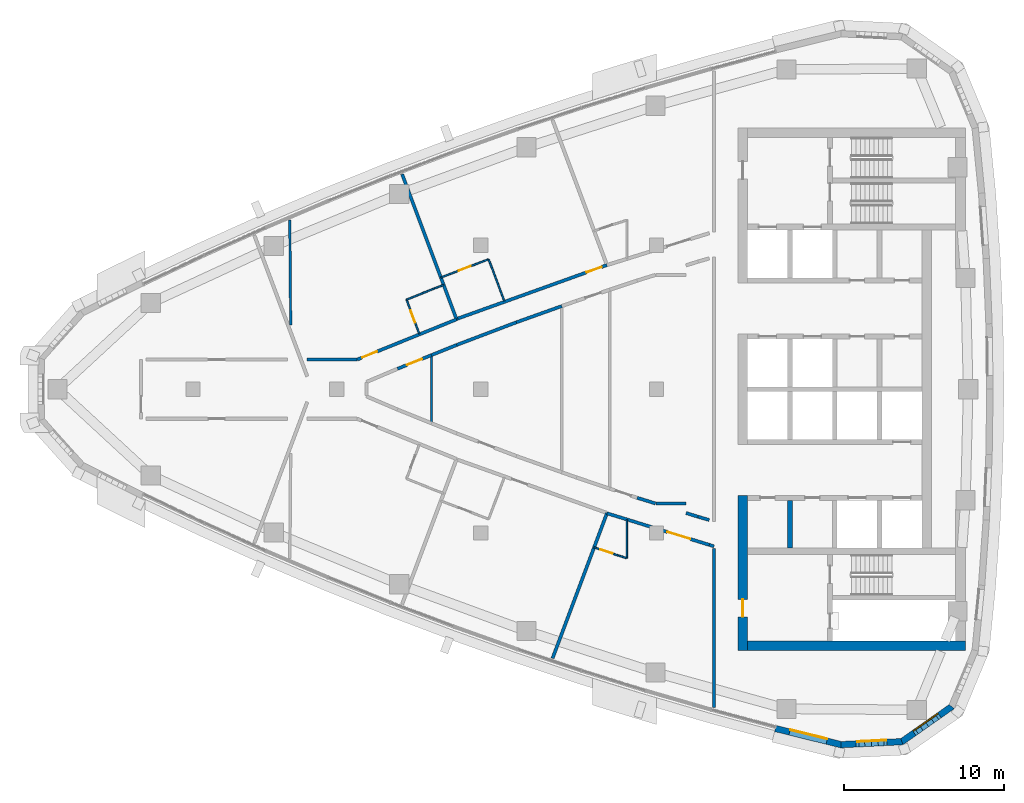
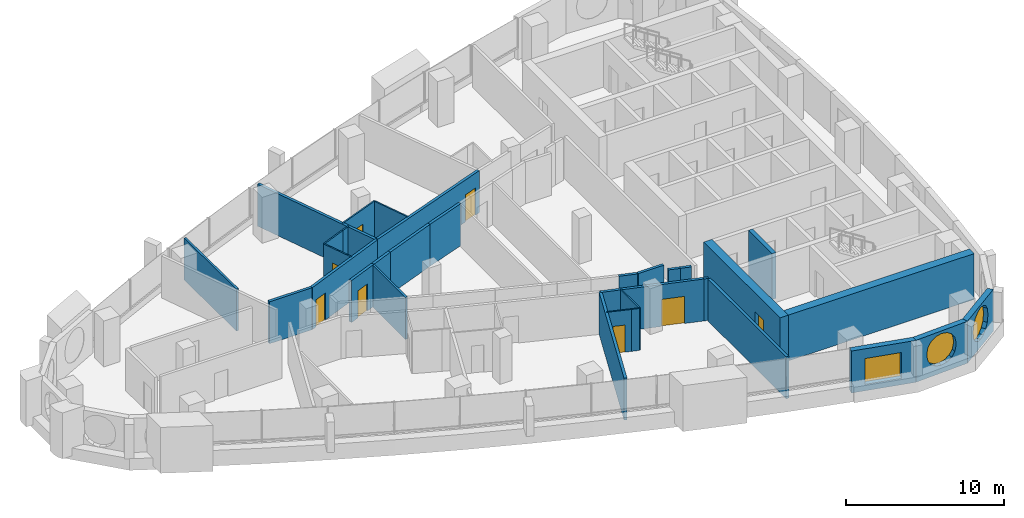
# One storey, part 9 of 16: 32 walls, 8 doors, 3 windows, 11 openings.
"""IFC4 building model written with IfcOpenShell, lengths in metres."""

from ifc_helpers import new_model, si_unit, direction, frame, frame_2d, origin, place, context, subcontext, project, spatial, polyline, rectangle, outline, extrude, material, layer, layer_set, type_object, element, fill, save


model = new_model("IFC4")

# Units and contexts
model_context = context("Model", 3, precision=1e-05, world=origin(), true_north=direction((0.0, 1.0)))
body_context = subcontext(model_context, "Body", "Model", "MODEL_VIEW")
ifc_project = project(units=[si_unit("LENGTHUNIT", "METRE"), si_unit("AREAUNIT", "SQUARE_METRE"), si_unit("VOLUMEUNIT", "CUBIC_METRE"), si_unit("PLANEANGLEUNIT", "RADIAN"), si_unit("MASSUNIT", "GRAM", prefix="KILO")], contexts=[model_context])

# Site, building, storey
site_placement = place(None, origin())
site = spatial("IfcSite", under=ifc_project, at=site_placement, CompositionType="ELEMENT")
building_placement = place(site_placement, origin())
building = spatial("IfcBuilding", under=site, at=building_placement, Name="Ostrand Prow Hotel Tower", CompositionType="ELEMENT")
storey_placement = place(building_placement, frame((0.0, 0.0, 227.89990234375)))
storey = spatial("IfcBuildingStorey", under=building, at=storey_placement, Name="L57", CompositionType="ELEMENT", Elevation=227.89990234375)

# Wall
ifc_material_1 = material(Name="Concrete C50/60", Category="concrete")
ifc_layer_1 = layer(ifc_material_1, 0.300048828125)
ifc_layer_set_1 = layer_set([ifc_layer_1], Name="Concrete C50/60")
wall_type_1 = type_object("IfcWallType", Name="Core wall 300 C50/60", PredefinedType="SHEAR", material=ifc_layer_set_1)
wall_1_placement = place(storey_placement, frame((53.35009765625, -9.949951171875, 0.0), z_axis=(0.0, 0.0, 1.0), x_axis=(0.0, 1.0, 0.0)))
element("IfcWall", 1, at=wall_1_placement, inside=storey, type_object=wall_type_1, Name="Core wall PW-R1-SA", PredefinedType="SHEAR", context=body_context, shape_type="SweptSolid", body=[
    extrude(rectangle(XDim=3.0, YDim=0.300048828125, at=frame_2d((1.5, 0.0))), origin(), (0.0, 0.0, 1.0), 3.550048828125),
])

# Wall, opening, door
ifc_material_2 = material(Name="Concrete C50/60", Category="concrete")
ifc_layer_2 = layer(ifc_material_2, 0.60009765625)
ifc_layer_set_2 = layer_set([ifc_layer_2], Name="Concrete C50/60")
wall_type_2 = type_object("IfcWallType", Name="Core wall 600 C50/60", PredefinedType="SHEAR", material=ifc_layer_set_2)
wall_2_placement = place(storey_placement, frame((50.39990234375, -16.35009765625, 0.0), z_axis=(0.0, 0.0, 1.0), x_axis=(0.0, 1.0, 0.0)))
wall_2 = element("IfcWall", 2, at=wall_2_placement, inside=storey, type_object=wall_type_2, Name="Core wall CW-W-S", PredefinedType="SHEAR", context=body_context, shape_type="SweptSolid", body=[
    extrude(rectangle(XDim=9.7001953125, YDim=0.60009765625, at=frame_2d((4.85009765625, 0.0))), origin(), (0.0, 0.0, 1.0), 3.550048828125),
])
opening_1_placement = place(wall_2_placement, frame((2.10009765625, 0.0, 0.0)))
opening_1 = element("IfcOpeningElement", 3, at=opening_1_placement, cuts=wall_2, Name="Opening FD1", PredefinedType="OPENING", context=body_context, shape_type="SweptSolid", body=[
    extrude(rectangle(XDim=1.10009765625, YDim=2.10009765625, at=frame_2d((0.550048828125, 1.050048828125))), frame((0.0, 0.31005859375, 0.0), z_axis=(0.0, -1.0, 0.0), x_axis=(1.0, 0.0, 0.0)), (0.0, 0.0, 1.0), 0.6201171875),
])
ifc_material_3 = material(Name="Steel fire door", Category="steel")
door_type_1 = type_object("IfcDoorType", Name="Fire door 1100 EI120", OperationType="SINGLE_SWING_RIGHT", PredefinedType="DOOR", material=ifc_material_3)
door_1_placement = place(opening_1_placement, origin())
door_1 = element("IfcDoor", 4, at=door_1_placement, inside=storey, type_object=door_type_1, Name="FIRE DOOR", OperationType="SINGLE_SWING_RIGHT", OverallHeight=2.10009765625, OverallWidth=1.10009765625, PredefinedType="DOOR", context=body_context, shape_type="SweptSolid", body=[
    extrude(rectangle(XDim=1.10009765625, YDim=2.10009765625, at=frame_2d((0.550048828125, 1.050048828125))), frame((0.0, 0.02490234375, 0.0), z_axis=(0.0, -1.0, 0.0), x_axis=(1.0, 0.0, 0.0)), (0.0, 0.0, 1.0), 0.050048828125),
])
fill(opening_1, door_1)

# Walls
wall_3_placement = place(storey_placement, frame((50.699951171875, -16.050048828125, 0.0), z_axis=(0.0, 0.0, 1.0), x_axis=(1.0, 0.0, 0.0)))
element("IfcWall", 5, at=wall_3_placement, inside=storey, type_object=wall_type_2, Name="Core wall CW-S", PredefinedType="SHEAR", context=body_context, shape_type="SweptSolid", body=[
    extrude(rectangle(XDim=13.6201171875, YDim=0.60009765625, at=frame_2d((6.81005859375, 0.0))), origin(), (0.0, 0.0, 1.0), 3.550048828125),
])
ifc_material_4 = material(Name="Plasterboard partition")
ifc_layer_3 = layer(ifc_material_4, 0.10009765625)
ifc_layer_set_3 = layer_set([ifc_layer_3], Name="Plasterboard partition")
wall_type_3 = type_object("IfcWallType", Name="Partition 100 bathroom wall", PredefinedType="PARTITIONING", material=ifc_layer_set_3)
wall_4_placement = place(storey_placement, frame((29.360107421875, 5.599853515625, 0.0), z_axis=(0.0, 0.0, 1.0), x_axis=(0.927594225674, 0.373589283166, 0.0)))
element("IfcWall", 6, at=wall_4_placement, inside=storey, type_object=wall_type_3, Name="BATHROOM WALL", PredefinedType="PARTITIONING", context=body_context, shape_type="SweptSolid", body=[
    extrude(rectangle(XDim=1.89453125, YDim=0.10009765625, at=frame_2d((0.947265625, 0.0))), origin(), (0.0, 0.0, 1.0), 3.25),
])
wall_5_placement = place(storey_placement, frame((31.117431640625, 6.3076171875, 0.0), z_axis=(0.0, 0.0, 1.0), x_axis=(0.935048188903, 0.354520640342, 0.0)))
element("IfcWall", 7, at=wall_5_placement, inside=storey, type_object=wall_type_3, Name="BATHROOM WALL", PredefinedType="PARTITIONING", context=body_context, shape_type="SweptSolid", body=[
    extrude(rectangle(XDim=0.60595703125, YDim=0.10009765625, at=frame_2d((0.302978515625, 0.0))), origin(), (0.0, 0.0, 1.0), 3.25),
])

# Wall, opening, door
wall_6_placement = place(storey_placement, frame((30.159912109375, 3.46728515625, 0.0), z_axis=(0.0, 0.0, 1.0), x_axis=(-0.351158682313, 0.936315961541, 0.0)))
wall_6 = element("IfcWall", 8, at=wall_6_placement, inside=storey, type_object=wall_type_3, Name="BATHROOM WALL", PredefinedType="PARTITIONING", context=body_context, shape_type="SweptSolid", body=[
    extrude(rectangle(XDim=2.277587890625, YDim=0.10009765625, at=frame_2d((1.138671875, 0.0))), origin(), (0.0, 0.0, 1.0), 3.25),
])
opening_2_placement = place(wall_6_placement, frame((0.75, 0.0, 0.0)))
opening_2 = element("IfcOpeningElement", 9, at=opening_2_placement, cuts=wall_6, Name="Opening D2", PredefinedType="OPENING", context=body_context, shape_type="SweptSolid", body=[
    extrude(rectangle(XDim=0.800048828125, YDim=2.10009765625, at=frame_2d((0.39990234375, 1.050048828125))), frame((0.0, 0.06005859375, 0.0), z_axis=(0.0, -1.0, 0.0), x_axis=(1.0, 0.0, 0.0)), (0.0, 0.0, 1.0), 0.1201171875),
])
ifc_material_5 = material(Name="Timber door leaf", Category="wood")
door_type_2 = type_object("IfcDoorType", Name="Bathroom door 800", OperationType="SINGLE_SWING_LEFT", PredefinedType="DOOR", material=ifc_material_5)
door_2_placement = place(opening_2_placement, origin())
door_2 = element("IfcDoor", 10, at=door_2_placement, inside=storey, type_object=door_type_2, Name="DOOR", OperationType="SINGLE_SWING_LEFT", OverallHeight=2.10009765625, OverallWidth=0.800048828125, PredefinedType="DOOR", context=body_context, shape_type="SweptSolid", body=[
    extrude(rectangle(XDim=0.800048828125, YDim=2.10009765625, at=frame_2d((0.39990234375, 1.050048828125))), frame((0.0, 0.02490234375, 0.0), z_axis=(0.0, -1.0, 0.0), x_axis=(1.0, 0.0, 0.0)), (0.0, 0.0, 1.0), 0.050048828125),
])
fill(opening_2, door_2)

wall_7_placement = place(storey_placement, frame((31.508544921875, 6.99072265625, 0.0), z_axis=(0.0, 0.0, 1.0), x_axis=(0.934948661714, 0.354783032232, 0.0)))
wall_7 = element("IfcWall", 11, at=wall_7_placement, inside=storey, type_object=wall_type_3, Name="BATHROOM WALL", PredefinedType="PARTITIONING", context=body_context, shape_type="SweptSolid", body=[
    extrude(rectangle(XDim=3.199951171875, YDim=0.10009765625, at=frame_2d((1.60009765625, 0.0))), origin(), (0.0, 0.0, 1.0), 3.25),
])
opening_3_placement = place(wall_7_placement, frame((1.199951171875, 0.0, 0.0)))
opening_3 = element("IfcOpeningElement", 12, at=opening_3_placement, cuts=wall_7, Name="Opening D2", PredefinedType="OPENING", context=body_context, shape_type="SweptSolid", body=[
    extrude(rectangle(XDim=0.800048828125, YDim=2.10009765625, at=frame_2d((0.39990234375, 1.050048828125))), frame((0.0, 0.06005859375, 0.0), z_axis=(0.0, -1.0, 0.0), x_axis=(1.0, 0.0, 0.0)), (0.0, 0.0, 1.0), 0.1201171875),
])
door_3_placement = place(opening_3_placement, origin())
door_3 = element("IfcDoor", 13, at=door_3_placement, inside=storey, type_object=door_type_2, Name="DOOR", OperationType="SINGLE_SWING_LEFT", OverallHeight=2.10009765625, OverallWidth=0.800048828125, PredefinedType="DOOR", context=body_context, shape_type="SweptSolid", body=[
    extrude(rectangle(XDim=0.800048828125, YDim=2.10009765625, at=frame_2d((0.39990234375, 1.050048828125))), frame((0.0, 0.02490234375, 0.0), z_axis=(0.0, -1.0, 0.0), x_axis=(1.0, 0.0, 0.0)), (0.0, 0.0, 1.0), 0.050048828125),
])
fill(opening_3, door_3)

# Walls
wall_8_placement = place(storey_placement, frame((34.50048828125, 8.1259765625, 0.0), z_axis=(0.0, 0.0, 1.0), x_axis=(0.351065630332, -0.936350854755, 0.0)))
element("IfcWall", 14, at=wall_8_placement, inside=storey, type_object=wall_type_3, Name="BATHROOM WALL", PredefinedType="PARTITIONING", context=body_context, shape_type="SweptSolid", body=[
    extrude(rectangle(XDim=2.77685546875, YDim=0.10009765625, at=frame_2d((1.388427734375, 0.0))), origin(), (0.0, 0.0, 1.0), 3.25),
])
wall_9_placement = place(storey_placement, frame((43.127685546875, -10.567626953125, 0.0), z_axis=(0.0, 0.0, 1.0), x_axis=(-0.954618903587, 0.297830067176, 0.0)))
element("IfcWall", 15, at=wall_9_placement, inside=storey, type_object=wall_type_3, Name="BATHROOM WALL", PredefinedType="PARTITIONING", context=body_context, shape_type="SweptSolid", body=[
    extrude(rectangle(XDim=0.53125, YDim=0.10009765625, at=frame_2d((0.265625, 0.0))), origin(), (0.0, 0.0, 1.0), 3.25),
])

# Wall, opening, door
wall_10_placement = place(storey_placement, frame((42.62060546875, -10.409423828125, 0.0), z_axis=(0.0, 0.0, 1.0), x_axis=(-0.948485479965, 0.3168206027, 0.0)))
wall_10 = element("IfcWall", 16, at=wall_10_placement, inside=storey, type_object=wall_type_3, Name="BATHROOM WALL", PredefinedType="PARTITIONING", context=body_context, shape_type="SweptSolid", body=[
    extrude(rectangle(XDim=1.60595703125, YDim=0.10009765625, at=frame_2d((0.802978515625, 0.0))), origin(), (0.0, 0.0, 1.0), 3.25),
])
opening_4_placement = place(wall_10_placement, frame((0.39990234375, 0.0, 0.0)))
opening_4 = element("IfcOpeningElement", 17, at=opening_4_placement, cuts=wall_10, Name="Opening D2", PredefinedType="OPENING", context=body_context, shape_type="SweptSolid", body=[
    extrude(rectangle(XDim=0.800048828125, YDim=2.10009765625, at=frame_2d((0.39990234375, 1.050048828125))), frame((0.0, 0.06005859375, 0.0), z_axis=(0.0, -1.0, 0.0), x_axis=(1.0, 0.0, 0.0)), (0.0, 0.0, 1.0), 0.1201171875),
])
door_4_placement = place(opening_4_placement, origin())
door_4 = element("IfcDoor", 18, at=door_4_placement, inside=storey, type_object=door_type_2, Name="DOOR", OperationType="SINGLE_SWING_LEFT", OverallHeight=2.10009765625, OverallWidth=0.800048828125, PredefinedType="DOOR", context=body_context, shape_type="SweptSolid", body=[
    extrude(rectangle(XDim=0.800048828125, YDim=2.10009765625, at=frame_2d((0.39990234375, 1.050048828125))), frame((0.0, 0.02490234375, 0.0), z_axis=(0.0, -1.0, 0.0), x_axis=(1.0, 0.0, 0.0)), (0.0, 0.0, 1.0), 0.050048828125),
])
fill(opening_4, door_4)

# Walls
wall_11_placement = place(storey_placement, frame((43.14501953125, -8.1650390625, 0.0), z_axis=(0.0, 0.0, 1.0), x_axis=(0.0, -1.0, 0.0)))
element("IfcWall", 19, at=wall_11_placement, inside=storey, type_object=wall_type_3, Name="BATHROOM WALL", PredefinedType="PARTITIONING", context=body_context, shape_type="SweptSolid", body=[
    extrude(rectangle(XDim=2.42529296875, YDim=0.10009765625, at=frame_2d((1.212646484375, 0.0))), origin(), (0.0, 0.0, 1.0), 3.25),
])
ifc_material_6 = material(Name="Plasterboard partition")
ifc_layer_4 = layer(ifc_material_6, 0.14990234375)
ifc_layer_set_4 = layer_set([ifc_layer_4], Name="Plasterboard partition")
wall_type_4 = type_object("IfcWallType", Name="Partition 150 room partition", PredefinedType="PARTITIONING", material=ifc_layer_set_4)
wall_12_placement = place(storey_placement, frame((30.926025390625, -2.134033203125, 0.0), z_axis=(0.0, 0.0, 1.0), x_axis=(0.0, 1.0, 0.0)))
element("IfcWall", 20, at=wall_12_placement, inside=storey, type_object=wall_type_4, Name="ROOM PARTITION", PredefinedType="PARTITIONING", context=body_context, shape_type="SweptSolid", body=[
    extrude(rectangle(XDim=4.26806640625, YDim=0.14990234375, at=frame_2d((2.134033203125, 0.0))), origin(), (0.0, 0.0, 1.0), 3.25),
])
wall_13_placement = place(storey_placement, frame((22.057373046875, 10.577880859375, 0.0), z_axis=(0.0, 0.0, 1.0), x_axis=(0.008379594055, -0.999964890585, 0.0)))
element("IfcWall", 21, at=wall_13_placement, inside=storey, type_object=wall_type_4, Name="ROOM PARTITION", PredefinedType="PARTITIONING", context=body_context, shape_type="SweptSolid", body=[
    extrude(rectangle(XDim=6.555419921875, YDim=0.14990234375, at=frame_2d((3.27783203125, 0.0))), origin(), (0.0, 0.0, 1.0), 3.25),
])

# Wall, opening, door
ifc_material_7 = material(Name="Plasterboard partition")
ifc_layer_5 = layer(ifc_material_7, 0.199951171875)
ifc_layer_set_5 = layer_set([ifc_layer_5], Name="Plasterboard partition")
wall_type_5 = type_object("IfcWallType", Name="Partition 200 corridor wall", PredefinedType="PARTITIONING", material=ifc_layer_set_5)
wall_14_placement = place(storey_placement, frame((26.265869140625, 1.85009765625, 0.0), z_axis=(0.0, 0.0, 1.0), x_axis=(0.927007906702, 0.375041785555, 0.0)))
wall_14 = element("IfcWall", 22, at=wall_14_placement, inside=storey, type_object=wall_type_5, Name="CORRIDOR WALL", PredefinedType="PARTITIONING", context=body_context, shape_type="SweptSolid", body=[
    extrude(rectangle(XDim=6.716064453125, YDim=0.199951171875, at=frame_2d((3.35791015625, 0.0))), origin(), (0.0, 0.0, 1.0), 3.25),
])
opening_5_placement = place(wall_14_placement, frame((0.35009765625, 0.0, 0.0)))
opening_5 = element("IfcOpeningElement", 23, at=opening_5_placement, cuts=wall_14, Name="Opening D1", PredefinedType="OPENING", context=body_context, shape_type="SweptSolid", body=[
    extrude(rectangle(XDim=1.0, YDim=2.10009765625, at=frame_2d((0.5, 1.050048828125))), frame((0.0, 0.10986328125, 0.0), z_axis=(0.0, -1.0, 0.0), x_axis=(1.0, 0.0, 0.0)), (0.0, 0.0, 1.0), 0.219970703125),
])
ifc_material_8 = material(Name="Timber door leaf", Category="wood")
door_type_3 = type_object("IfcDoorType", Name="Guest room door 1000", OperationType="SINGLE_SWING_LEFT", PredefinedType="DOOR", material=ifc_material_8)
door_5_placement = place(opening_5_placement, origin())
door_5 = element("IfcDoor", 24, at=door_5_placement, inside=storey, type_object=door_type_3, Name="DOOR", OperationType="SINGLE_SWING_LEFT", OverallHeight=2.10009765625, OverallWidth=1.0, PredefinedType="DOOR", context=body_context, shape_type="SweptSolid", body=[
    extrude(rectangle(XDim=1.0, YDim=2.10009765625, at=frame_2d((0.5, 1.050048828125))), frame((0.0, 0.02490234375, 0.0), z_axis=(0.0, -1.0, 0.0), x_axis=(1.0, 0.0, 0.0)), (0.0, 0.0, 1.0), 0.050048828125),
])
fill(opening_5, door_5)

wall_15_placement = place(storey_placement, frame((41.8984375, 7.764404296875, 0.0), z_axis=(0.0, 0.0, 1.0), x_axis=(-0.941277643829, -0.337633525034, 0.0)))
wall_15 = element("IfcWall", 25, at=wall_15_placement, inside=storey, type_object=wall_type_5, Name="CORRIDOR WALL", PredefinedType="PARTITIONING", context=body_context, shape_type="SweptSolid", body=[
    extrude(rectangle(XDim=10.001220703125, YDim=0.199951171875, at=frame_2d((5.00048828125, 0.0))), origin(), (0.0, 0.0, 1.0), 3.25),
])
opening_6_placement = place(wall_15_placement, frame((0.35009765625, 0.0, 0.0)))
opening_6 = element("IfcOpeningElement", 26, at=opening_6_placement, cuts=wall_15, Name="Opening D1", PredefinedType="OPENING", context=body_context, shape_type="SweptSolid", body=[
    extrude(rectangle(XDim=1.0, YDim=2.10009765625, at=frame_2d((0.5, 1.050048828125))), frame((0.0, 0.10986328125, 0.0), z_axis=(0.0, -1.0, 0.0), x_axis=(1.0, 0.0, 0.0)), (0.0, 0.0, 1.0), 0.219970703125),
])
door_6_placement = place(opening_6_placement, origin())
door_6 = element("IfcDoor", 27, at=door_6_placement, inside=storey, type_object=door_type_3, Name="DOOR", OperationType="SINGLE_SWING_LEFT", OverallHeight=2.10009765625, OverallWidth=1.0, PredefinedType="DOOR", context=body_context, shape_type="SweptSolid", body=[
    extrude(rectangle(XDim=1.0, YDim=2.10009765625, at=frame_2d((0.5, 1.050048828125))), frame((0.0, 0.02490234375, 0.0), z_axis=(0.0, -1.0, 0.0), x_axis=(1.0, 0.0, 0.0)), (0.0, 0.0, 1.0), 0.050048828125),
])
fill(opening_6, door_6)

wall_16_placement = place(storey_placement, frame((28.795654296875, 1.276123046875, 0.0), z_axis=(0.0, 0.0, 1.0), x_axis=(0.927609077038, 0.373552406224, 0.0)))
wall_16 = element("IfcWall", 28, at=wall_16_placement, inside=storey, type_object=wall_type_5, Name="CORRIDOR WALL", PredefinedType="PARTITIONING", context=body_context, shape_type="SweptSolid", body=[
    extrude(rectangle(XDim=2.296630859375, YDim=0.199951171875, at=frame_2d((1.1484375, 0.0))), origin(), (0.0, 0.0, 1.0), 3.25),
])
opening_7_placement = place(wall_16_placement, frame((0.648193359375, 0.0, 0.0)))
opening_7 = element("IfcOpeningElement", 29, at=opening_7_placement, cuts=wall_16, Name="Opening D1R", PredefinedType="OPENING", context=body_context, shape_type="SweptSolid", body=[
    extrude(rectangle(XDim=1.0, YDim=2.10009765625, at=frame_2d((0.5, 1.050048828125))), frame((0.0, 0.10986328125, 0.0), z_axis=(0.0, -1.0, 0.0), x_axis=(1.0, 0.0, 0.0)), (0.0, 0.0, 1.0), 0.219970703125),
])
ifc_material_9 = material(Name="Timber door leaf", Category="wood")
door_type_4 = type_object("IfcDoorType", Name="Guest room door 1000 right", OperationType="SINGLE_SWING_RIGHT", PredefinedType="DOOR", material=ifc_material_9)
door_7_placement = place(opening_7_placement, origin())
door_7 = element("IfcDoor", 30, at=door_7_placement, inside=storey, type_object=door_type_4, Name="DOOR", OperationType="SINGLE_SWING_RIGHT", OverallHeight=2.10009765625, OverallWidth=1.0, PredefinedType="DOOR", context=body_context, shape_type="SweptSolid", body=[
    extrude(rectangle(XDim=1.0, YDim=2.10009765625, at=frame_2d((0.5, 1.050048828125))), frame((0.0, 0.02490234375, 0.0), z_axis=(0.0, -1.0, 0.0), x_axis=(1.0, 0.0, 0.0)), (0.0, 0.0, 1.0), 0.050048828125),
])
fill(opening_7, door_7)

# Walls
wall_17_placement = place(storey_placement, frame((30.926025390625, 2.134033203125, 0.0), z_axis=(0.0, 0.0, 1.0), x_axis=(0.927641577565, 0.373471690456, 0.0)))
element("IfcWall", 31, at=wall_17_placement, inside=storey, type_object=wall_type_5, Name="CORRIDOR WALL", PredefinedType="PARTITIONING", context=body_context, shape_type="SweptSolid", body=[
    extrude(rectangle(XDim=1.6982421875, YDim=0.199951171875, at=frame_2d((0.84912109375, 0.0))), origin(), (0.0, 0.0, 1.0), 3.25),
])
wall_18_placement = place(storey_placement, frame((32.50146484375, 2.768310546875, 0.0), z_axis=(0.0, 0.0, 1.0), x_axis=(0.934950696546, 0.354777669856, 0.0)))
element("IfcWall", 32, at=wall_18_placement, inside=storey, type_object=wall_type_5, Name="CORRIDOR WALL", PredefinedType="PARTITIONING", context=body_context, shape_type="SweptSolid", body=[
    extrude(rectangle(XDim=3.99462890625, YDim=0.199951171875, at=frame_2d((1.997314453125, 0.0))), origin(), (0.0, 0.0, 1.0), 3.25),
])
wall_19_placement = place(storey_placement, frame((36.236328125, 4.185546875, 0.0), z_axis=(0.0, 0.0, 1.0), x_axis=(0.941908381697, 0.335869916023, 0.0)))
element("IfcWall", 33, at=wall_19_placement, inside=storey, type_object=wall_type_5, Name="CORRIDOR WALL", PredefinedType="PARTITIONING", context=body_context, shape_type="SweptSolid", body=[
    extrude(rectangle(XDim=3.017333984375, YDim=0.199951171875, at=frame_2d((1.5087890625, 0.0))), origin(), (0.0, 0.0, 1.0), 3.25),
])
wall_20_placement = place(storey_placement, frame((47.60205078125, -7.982421875, 0.0), z_axis=(0.0, 0.0, 1.0), x_axis=(-0.95461224237, 0.297851417181, 0.0)))
element("IfcWall", 34, at=wall_20_placement, inside=storey, type_object=wall_type_5, Name="CORRIDOR WALL", PredefinedType="PARTITIONING", context=body_context, shape_type="SweptSolid", body=[
    extrude(rectangle(XDim=0.78759765625, YDim=0.199951171875, at=frame_2d((0.393798828125, 0.0))), origin(), (0.0, 0.0, 1.0), 3.25),
])
wall_21_placement = place(storey_placement, frame((44.9326171875, -7.14990234375, 0.0), z_axis=(0.0, 0.0, 1.0), x_axis=(-0.954693570678, 0.29759063511, 0.0)))
element("IfcWall", 35, at=wall_21_placement, inside=storey, type_object=wall_type_5, Name="CORRIDOR WALL", PredefinedType="PARTITIONING", context=body_context, shape_type="SweptSolid", body=[
    extrude(rectangle(XDim=1.198486328125, YDim=0.199951171875, at=frame_2d((0.59912109375, 0.0))), origin(), (0.0, 0.0, 1.0), 3.25),
])

# Wall, opening, door
wall_22_placement = place(storey_placement, frame((41.8984375, -7.764404296875, 0.0), z_axis=(0.0, 0.0, 1.0), x_axis=(0.955502033518, -0.294984514752, 0.0)))
wall_22 = element("IfcWall", 36, at=wall_22_placement, inside=storey, type_object=wall_type_5, Name="CORRIDOR WALL", PredefinedType="PARTITIONING", context=body_context, shape_type="SweptSolid", body=[
    extrude(rectangle(XDim=6.69970703125, YDim=0.199951171875, at=frame_2d((3.349853515625, 0.0))), origin(), (0.0, 0.0, 1.0), 3.25),
])
opening_8_placement = place(wall_22_placement, frame((3.949951171875, 0.0, 0.0)))
opening_8 = element("IfcOpeningElement", 37, at=opening_8_placement, cuts=wall_22, Name="Opening D15", PredefinedType="OPENING", context=body_context, shape_type="SweptSolid", body=[
    extrude(rectangle(XDim=1.5, YDim=2.10009765625, at=frame_2d((0.75, 1.050048828125))), frame((0.0, 0.10986328125, 0.0), z_axis=(0.0, -1.0, 0.0), x_axis=(1.0, 0.0, 0.0)), (0.0, 0.0, 1.0), 0.219970703125),
])
ifc_material_10 = material(Name="Timber door leaf", Category="wood")
door_type_5 = type_object("IfcDoorType", Name="Double door 1500", OperationType="DOUBLE_DOOR_SINGLE_SWING", PredefinedType="DOOR", material=ifc_material_10)
door_8_placement = place(opening_8_placement, origin())
door_8 = element("IfcDoor", 38, at=door_8_placement, inside=storey, type_object=door_type_5, Name="DOOR", OperationType="DOUBLE_DOOR_SINGLE_SWING", OverallHeight=2.10009765625, OverallWidth=1.5, PredefinedType="DOOR", context=body_context, shape_type="SweptSolid", body=[
    extrude(rectangle(XDim=1.5, YDim=2.10009765625, at=frame_2d((0.75, 1.050048828125))), frame((0.0, 0.02490234375, 0.0), z_axis=(0.0, -1.0, 0.0), x_axis=(1.0, 0.0, 0.0)), (0.0, 0.0, 1.0), 0.050048828125),
])
fill(opening_8, door_8)

# Walls
wall_23_placement = place(storey_placement, frame((48.300048828125, -8.184814453125, 0.0), z_axis=(0.0, 0.0, 1.0), x_axis=(-0.960439023181, 0.278490363839, 0.0)))
element("IfcWall", 39, at=wall_23_placement, inside=storey, type_object=wall_type_5, Name="CORRIDOR WALL", PredefinedType="PARTITIONING", context=body_context, shape_type="SweptSolid", body=[
    extrude(rectangle(XDim=0.726806640625, YDim=0.199951171875, at=frame_2d((0.36328125, 0.0))), origin(), (0.0, 0.0, 1.0), 3.25),
])
wall_24_placement = place(storey_placement, frame((46.8515625, -7.145263671875, 0.0), z_axis=(0.0, 0.0, 1.0), x_axis=(-0.99999999156, 0.000129920747, 0.0)))
element("IfcWall", 40, at=wall_24_placement, inside=storey, type_object=wall_type_5, Name="CORRIDOR WALL", PredefinedType="PARTITIONING", context=body_context, shape_type="SweptSolid", body=[
    extrude(rectangle(XDim=1.879150390625, YDim=0.199951171875, at=frame_2d((0.939453125, 0.0))), origin(), (0.0, 0.0, 1.0), 3.25),
])
wall_25_placement = place(storey_placement, frame((26.265869140625, 1.85009765625, 0.0), z_axis=(0.0, 0.0, 1.0), x_axis=(-0.999998892962, 0.001487977051, 0.0)))
element("IfcWall", 41, at=wall_25_placement, inside=storey, type_object=wall_type_5, Name="CORRIDOR WALL", PredefinedType="PARTITIONING", context=body_context, shape_type="SweptSolid", body=[
    extrude(rectangle(XDim=3.117431640625, YDim=0.199951171875, at=frame_2d((1.55859375, 0.0))), origin(), (0.0, 0.0, 1.0), 3.25),
])
wall_26_placement = place(storey_placement, frame((48.300048828125, -9.74072265625, 0.0), z_axis=(0.0, 0.0, 1.0), x_axis=(0.950709666312, -0.31008245739, 0.0)))
element("IfcWall", 42, at=wall_26_placement, inside=storey, type_object=wall_type_5, Name="CORRIDOR WALL", PredefinedType="PARTITIONING", context=body_context, shape_type="SweptSolid", body=[
    extrude(rectangle(XDim=0.310302734375, YDim=0.199951171875, at=frame_2d((0.1552734375, 0.0))), origin(), (0.0, 0.0, 1.0), 3.25),
])
wall_27_placement = place(storey_placement, frame((48.594970703125, -9.95703125, 0.0), z_axis=(0.0, 0.0, 1.0), x_axis=(0.0, -1.0, 0.0)))
element("IfcWall", 43, at=wall_27_placement, inside=storey, type_object=wall_type_5, Name="CORRIDOR WALL", PredefinedType="PARTITIONING", context=body_context, shape_type="SweptSolid", body=[
    extrude(rectangle(XDim=9.947265625, YDim=0.199951171875, at=frame_2d((4.9736328125, 0.0))), origin(), (0.0, 0.0, 1.0), 3.25),
])
ifc_material_11 = material(Name="Plasterboard partition")
ifc_layer_6 = layer(ifc_material_11, 0.199951171875)
ifc_layer_set_6 = layer_set([ifc_layer_6], Name="Plasterboard partition")
wall_type_6 = type_object("IfcWallType", Name="Partition 200 key partition", PredefinedType="PARTITIONING", material=ifc_layer_set_6)
wall_28_placement = place(storey_placement, frame((32.49169921875, 4.368896484375, 0.0), z_axis=(0.0, 0.0, 1.0), x_axis=(-0.351128958016, 0.93632710889, 0.0)))
element("IfcWall", 44, at=wall_28_placement, inside=storey, type_object=wall_type_6, Name="KEY PARTITION", PredefinedType="PARTITIONING", context=body_context, shape_type="SweptSolid", body=[
    extrude(rectangle(XDim=9.7001953125, YDim=0.199951171875, at=frame_2d((4.85009765625, 0.0))), origin(), (0.0, 0.0, 1.0), 3.25),
])
wall_29_placement = place(storey_placement, frame((38.497314453125, -16.833984375, 0.0), z_axis=(0.0, 0.0, 1.0), x_axis=(0.35112895446, 0.936327110224, 0.0)))
element("IfcWall", 45, at=wall_29_placement, inside=storey, type_object=wall_type_6, Name="KEY PARTITION", PredefinedType="PARTITIONING", context=body_context, shape_type="SweptSolid", body=[
    extrude(rectangle(XDim=9.706298828125, YDim=0.199951171875, at=frame_2d((4.85302734375, 0.0))), origin(), (0.0, 0.0, 1.0), 3.25),
])

# Wall, opening, window
ifc_material_12 = material(Name="Precast concrete C40/50", Category="concrete")
ifc_layer_7 = layer(ifc_material_12, 0.39990234375)
ifc_layer_set_7 = layer_set([ifc_layer_7], Name="Precast concrete C40/50")
wall_type_7 = type_object("IfcWallType", Name="Stone-faced precast wall 400 mm", PredefinedType="NOTDEFINED", material=ifc_layer_set_7)
wall_30_placement = place(storey_placement, frame((52.440673828125, -21.229736328125, 0.0), z_axis=(0.0, 0.0, 1.0), x_axis=(0.970902342456, -0.23947576373, 0.0)))
wall_30 = element("IfcWall", 46, at=wall_30_placement, inside=storey, type_object=wall_type_7, Name="Stone-faced wall back 1", PredefinedType="NOTDEFINED", context=body_context, shape_type="SweptSolid", body=[
    extrude(outline(polyline([(0.0, -0.199951171875), (4.255126953125, -0.199951171875), (4.196533203125, 0.199951171875), (0.0, 0.199951171875), (0.0, -0.199951171875)])), origin(), (0.0, 0.0, 1.0), 3.25),
])
opening_9_placement = place(wall_30_placement, frame((0.912841796875, 0.0, 0.5)))
opening_9 = element("IfcOpeningElement", 47, at=opening_9_placement, cuts=wall_30, Name="Opening WA1", PredefinedType="OPENING", context=body_context, shape_type="SweptSolid", body=[
    extrude(rectangle(XDim=2.39990234375, YDim=2.0, at=frame_2d((1.199951171875, 1.0))), frame((0.0, 0.2099609375, 0.0), z_axis=(0.0, -1.0, 0.0), x_axis=(1.0, 0.0, 0.0)), (0.0, 0.0, 1.0), 0.419921875),
])
ifc_material_13 = material(Name="Insulated glass in bronze frame", Category="glass")
window_type_1 = type_object("IfcWindowType", Name="Amenity picture window 2400x2000", PartitioningType="SINGLE_PANEL", PredefinedType="WINDOW", material=ifc_material_13)
window_1_placement = place(opening_9_placement, origin())
window_1 = element("IfcWindow", 48, at=window_1_placement, inside=storey, type_object=window_type_1, Name="Window back 1.1", OverallHeight=2.0, OverallWidth=2.39990234375, PartitioningType="SINGLE_PANEL", PredefinedType="WINDOW", context=body_context, shape_type="SweptSolid", body=[
    extrude(rectangle(XDim=2.39990234375, YDim=2.0, at=frame_2d((1.199951171875, 1.0))), frame((0.0, 0.169921875, 0.0), z_axis=(0.0, -1.0, 0.0), x_axis=(1.0, 0.0, 0.0)), (0.0, 0.0, 1.0), 0.06005859375),
])
fill(opening_9, window_1)

wall_31_placement = place(storey_placement, frame((56.54345703125, -22.24169921875, 0.0), z_axis=(0.0, 0.0, 1.0), x_axis=(0.998758875872, 0.049806705046, 0.0)))
wall_31 = element("IfcWall", 49, at=wall_31_placement, inside=storey, type_object=wall_type_7, Name="Stone-faced wall back 2", PredefinedType="NOTDEFINED", context=body_context, shape_type="SweptSolid", body=[
    extrude(outline(polyline([(-0.029296875, -0.199951171875), (3.871337890625, -0.199951171875), (3.755615234375, 0.199951171875), (0.029296875, 0.199951171875), (-0.029296875, -0.199951171875)])), origin(), (0.0, 0.0, 1.0), 3.25),
])
opening_10_placement = place(wall_31_placement, frame((0.806884765625, 0.0, 0.60009765625)))
opening_10 = element("IfcOpeningElement", 50, at=opening_10_placement, cuts=wall_31, Name="Opening WP2", PredefinedType="OPENING", context=body_context, shape_type="SweptSolid", body=[
    extrude(outline(polyline([(0.0, 1.35009765625), (0.083740234375, 1.77099609375), (0.322265625, 2.127685546875), (0.678955078125, 2.3662109375), (1.10009765625, 2.449951171875), (1.52099609375, 2.3662109375), (1.877685546875, 2.127685546875), (2.1162109375, 1.77099609375), (2.199951171875, 1.35009765625), (2.199951171875, 1.10009765625), (2.1162109375, 0.678955078125), (1.877685546875, 0.322265625), (1.52099609375, 0.083740234375), (1.10009765625, 0.0), (0.678955078125, 0.083740234375), (0.322265625, 0.322265625), (0.083740234375, 0.678955078125), (0.0, 1.099853515625), (0.0, 1.35009765625)])), frame((0.0, 0.2099609375, 0.0), z_axis=(0.0, -1.0, 0.0), x_axis=(1.0, 0.0, 0.0)), (0.0, 0.0, 1.0), 0.419921875),
])
ifc_material_14 = material(Name="Insulated glass in bronze frame", Category="glass")
window_type_2 = type_object("IfcWindowType", Name="Round-ended prow lounge window 2200x2450", PartitioningType="SINGLE_PANEL", PredefinedType="WINDOW", material=ifc_material_14)
window_2_placement = place(opening_10_placement, origin())
window_2 = element("IfcWindow", 51, at=window_2_placement, inside=storey, type_object=window_type_2, Name="Window back 2.1", OverallHeight=2.449951171875, OverallWidth=2.199951171875, PartitioningType="SINGLE_PANEL", PredefinedType="WINDOW", context=body_context, shape_type="SweptSolid", body=[
    extrude(outline(polyline([(0.0, 1.35009765625), (0.083740234375, 1.77099609375), (0.322265625, 2.127685546875), (0.678955078125, 2.3662109375), (1.10009765625, 2.449951171875), (1.52099609375, 2.3662109375), (1.877685546875, 2.127685546875), (2.1162109375, 1.77099609375), (2.199951171875, 1.35009765625), (2.199951171875, 1.10009765625), (2.1162109375, 0.678955078125), (1.877685546875, 0.322265625), (1.52099609375, 0.083740234375), (1.10009765625, 0.0), (0.678955078125, 0.083740234375), (0.322265625, 0.322265625), (0.083740234375, 0.678955078125), (0.0, 1.099853515625), (0.0, 1.35009765625)])), frame((0.0, 0.169921875, 0.0), z_axis=(0.0, -1.0, 0.0), x_axis=(1.0, 0.0, 0.0)), (0.0, 0.0, 1.0), 0.06005859375),
])
fill(opening_10, window_2)

wall_32_placement = place(storey_placement, frame((60.352294921875, -22.0517578125, 0.0), z_axis=(0.0, 0.0, 1.0), x_axis=(0.817942545532, 0.575299915009, 0.0)))
wall_32 = element("IfcWall", 52, at=wall_32_placement, inside=storey, type_object=wall_type_7, Name="Stone-faced wall back 3", PredefinedType="NOTDEFINED", context=body_context, shape_type="SweptSolid", body=[
    extrude(outline(polyline([(-0.057861328125, -0.199951171875), (3.871337890625, -0.199951171875), (3.755615234375, 0.199951171875), (0.057861328125, 0.199951171875), (-0.057861328125, -0.199951171875)])), origin(), (0.0, 0.0, 1.0), 3.25),
])
opening_11_placement = place(wall_32_placement, frame((0.806884765625, 0.0, 0.60009765625)))
opening_11 = element("IfcOpeningElement", 53, at=opening_11_placement, cuts=wall_32, Name="Opening WP2", PredefinedType="OPENING", context=body_context, shape_type="SweptSolid", body=[
    extrude(outline(polyline([(0.0, 1.35009765625), (0.083740234375, 1.77099609375), (0.322265625, 2.127685546875), (0.678955078125, 2.3662109375), (1.10009765625, 2.449951171875), (1.52099609375, 2.3662109375), (1.877685546875, 2.127685546875), (2.1162109375, 1.77099609375), (2.199951171875, 1.35009765625), (2.199951171875, 1.10009765625), (2.1162109375, 0.678955078125), (1.877685546875, 0.322265625), (1.52099609375, 0.083740234375), (1.10009765625, 0.0), (0.678955078125, 0.083740234375), (0.322265625, 0.322265625), (0.083740234375, 0.678955078125), (0.0, 1.099853515625), (0.0, 1.35009765625)])), frame((0.0, 0.2099609375, 0.0), z_axis=(0.0, -1.0, 0.0), x_axis=(1.0, 0.0, 0.0)), (0.0, 0.0, 1.0), 0.419921875),
])
window_3_placement = place(opening_11_placement, origin())
window_3 = element("IfcWindow", 54, at=window_3_placement, inside=storey, type_object=window_type_2, Name="Window back 3.1", OverallHeight=2.449951171875, OverallWidth=2.199951171875, PartitioningType="SINGLE_PANEL", PredefinedType="WINDOW", context=body_context, shape_type="SweptSolid", body=[
    extrude(outline(polyline([(0.0, 1.35009765625), (0.083740234375, 1.77099609375), (0.322265625, 2.127685546875), (0.678955078125, 2.3662109375), (1.10009765625, 2.449951171875), (1.52099609375, 2.3662109375), (1.877685546875, 2.127685546875), (2.1162109375, 1.77099609375), (2.199951171875, 1.35009765625), (2.199951171875, 1.10009765625), (2.1162109375, 0.678955078125), (1.877685546875, 0.322265625), (1.52099609375, 0.083740234375), (1.10009765625, 0.0), (0.678955078125, 0.083740234375), (0.322265625, 0.322265625), (0.083740234375, 0.678955078125), (0.0, 1.099853515625), (0.0, 1.35009765625)])), frame((0.0, 0.169921875, 0.0), z_axis=(0.0, -1.0, 0.0), x_axis=(1.0, 0.0, 0.0)), (0.0, 0.0, 1.0), 0.06005859375),
])
fill(opening_11, window_3)

save(model, "model.ifc")
